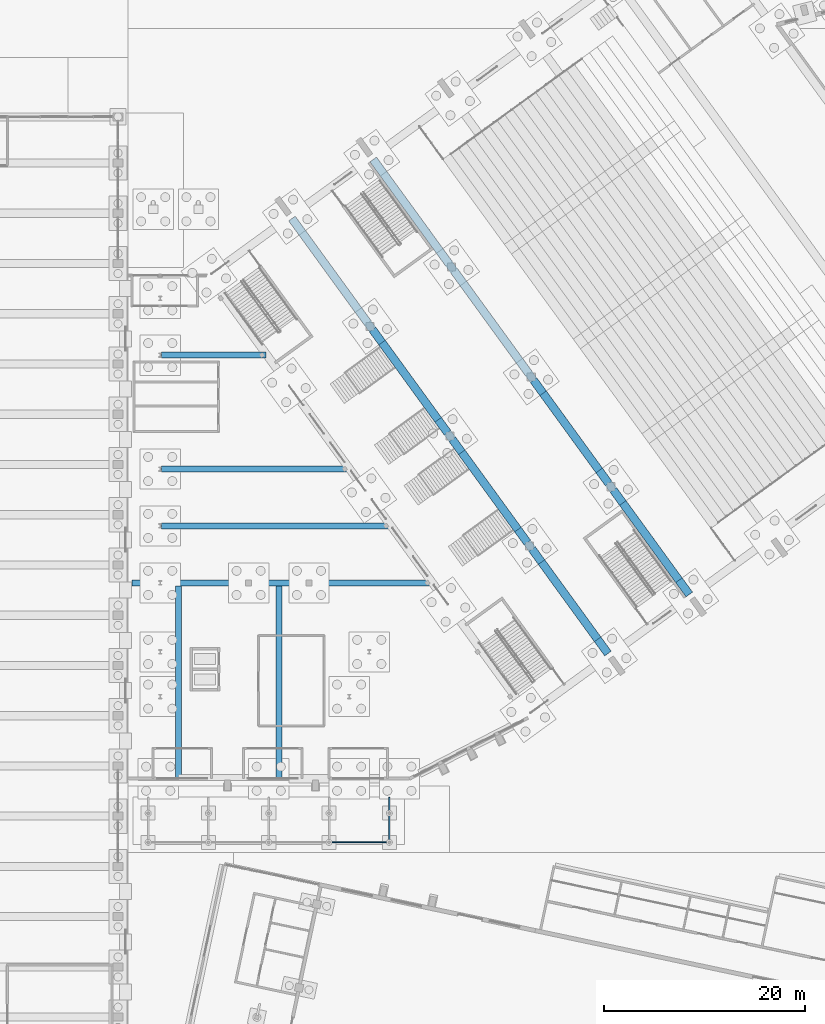
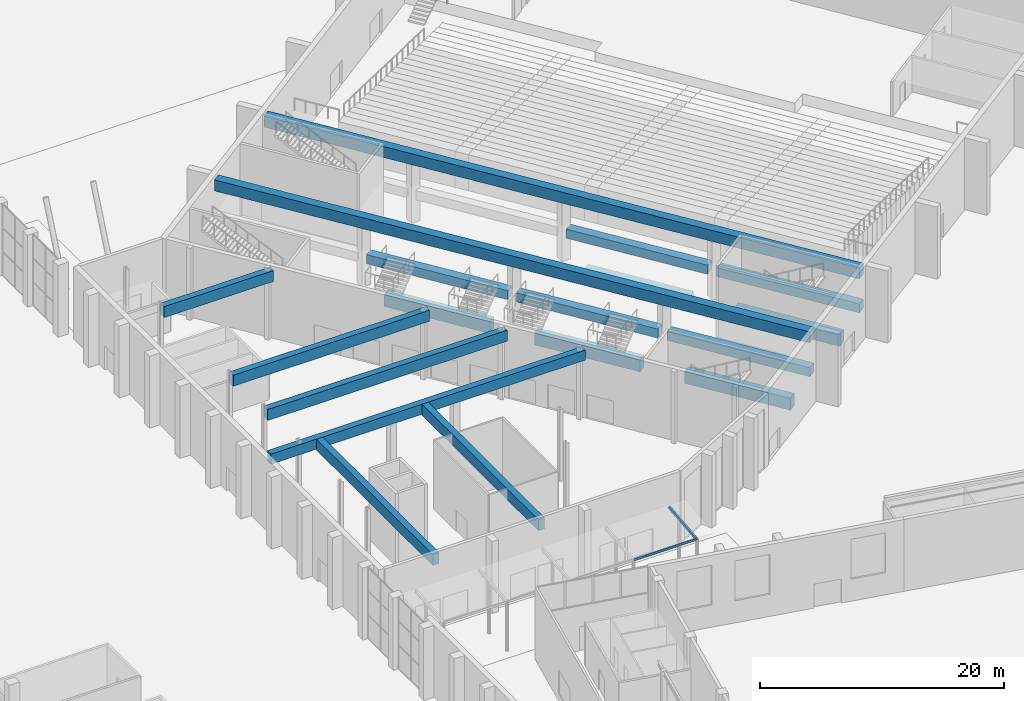
# One storey, part 131 of 239: 20 beams.
"""IFC4 building model written with IfcOpenShell, lengths in metres."""

from ifc_helpers import new_model, si_unit, direction, frame, origin, origin_2d, place, context, subcontext, project, spatial, rectangle, hollow_rectangle, extrude, material, material_profile, profile_set, type_object, element, save


model = new_model("IFC4")

# Units and contexts
model_context = context("Model", 3, precision=1e-05, world=origin(), true_north=direction((0.0, 1.0)))
body_context = subcontext(model_context, "Body", "Model", "MODEL_VIEW")
ifc_project = project(units=[si_unit("LENGTHUNIT", "METRE"), si_unit("AREAUNIT", "SQUARE_METRE"), si_unit("VOLUMEUNIT", "CUBIC_METRE"), si_unit("PLANEANGLEUNIT", "RADIAN"), si_unit("MASSUNIT", "GRAM", prefix="KILO")], contexts=[model_context])

# Site, building, storey
site_placement = place(None, origin())
site = spatial("IfcSite", under=ifc_project, at=site_placement, CompositionType="ELEMENT")
building_placement = place(site_placement, origin())
building = spatial("IfcBuilding", under=site, at=building_placement, Name="Okhra Congress Centre", CompositionType="ELEMENT")
storey_placement = place(building_placement, origin())
storey = spatial("IfcBuildingStorey", under=building, at=storey_placement, Name="L00", CompositionType="ELEMENT", Elevation=0.0)

# Beams
ifc_material_1 = material(Name="Concrete C35/45", Category="concrete")
ifc_material_profile_1 = material_profile(ifc_material_1, rectangle(XDim=0.800048828125, YDim=1.10009765625, at=origin_2d()), Name="RC balcony girder 800x1100")
ifc_profile_set_1 = profile_set([ifc_material_profile_1], Name="Concrete C35/45")
beam_type_1 = type_object("IfcBeamType", Name="RC balcony girder 800x1100", PredefinedType="BEAM", material=ifc_profile_set_1)
for number, where, z_axis, x_axis, name in (
    (1, (237.753662109375, 162.18896484375, 6.300048828125), (-0.587784977279, 0.809017194184, 0.0), (-0.809017194184, -0.587784977279, 0.0), "Balcony girder 20"),
    (2, (245.843994140625, 168.06689453125, 6.300048828125), (-0.587784977279, 0.809017194184, 0.0), (-0.809017194184, -0.587784977279, 0.0), "Balcony girder 10"),
):
    element("IfcBeam", number, at=place(storey_placement, frame(where, z_axis=z_axis, x_axis=x_axis)), inside=storey, type_object=beam_type_1, Name=name, PredefinedType="BEAM", context=body_context, shape_type="SweptSolid", body=[
        extrude(rectangle(XDim=0.800048828125, YDim=1.10009765625, at=origin_2d()), origin(), (0.0, 0.0, 1.0), 53.5),
    ])
ifc_material_profile_2 = material_profile(ifc_material_1, rectangle(XDim=0.60009765625, YDim=1.0, at=origin_2d()), Name="RC edge beam 600x1000")
ifc_profile_set_2 = profile_set([ifc_material_profile_2], Name="Concrete C35/45")
beam_type_2 = type_object("IfcBeamType", Name="RC edge beam 600x1000", PredefinedType="BEAM", material=ifc_profile_set_2)
beam_1_placement = place(storey_placement, frame((190.39990234375, 169.219970703125, 6.35009765625), z_axis=(1.0, 0.0, 0.0), x_axis=(0.0, 1.0, 0.0)))
element("IfcBeam", 3, at=beam_1_placement, inside=storey, type_object=beam_type_2, Name="Gallery edge beam", PredefinedType="BEAM", context=body_context, shape_type="SweptSolid", body=[
    extrude(rectangle(XDim=0.60009765625, YDim=1.0, at=origin_2d()), origin(), (0.0, 0.0, 1.0), 29.78759765625),
])
ifc_material_profile_3 = material_profile(ifc_material_1, rectangle(XDim=0.60009765625, YDim=1.10009765625, at=origin_2d()), Name="RC floor beam 600x1100")
ifc_profile_set_3 = profile_set([ifc_material_profile_3], Name="Concrete C35/45")
beam_type_3 = type_object("IfcBeamType", Name="RC floor beam 600x1100", PredefinedType="BEAM", material=ifc_profile_set_3)
for number, where, z_axis, x_axis, name in (
    (4, (195.0, 149.830078125, 6.300048828125), (0.0, 1.0, 0.0), (-1.0, 0.0, 0.0), "Gallery floor beam 1"),
    (5, (205.0, 149.830078125, 6.300048828125), (0.0, 1.0, 0.0), (-1.0, 0.0, 0.0), "Gallery floor beam 2"),
):
    element("IfcBeam", number, at=place(storey_placement, frame(where, z_axis=z_axis, x_axis=x_axis)), inside=storey, type_object=beam_type_3, Name=name, PredefinedType="BEAM", context=body_context, shape_type="SweptSolid", body=[
        extrude(rectangle(XDim=0.60009765625, YDim=1.10009765625, at=origin_2d()), origin(), (0.0, 0.0, 1.0), 19.08984375),
    ])
beam_2_placement = place(storey_placement, frame((193.35009765625, 174.889892578125, 6.300048828125), z_axis=(1.0, 0.0, 0.0), x_axis=(0.0, 1.0, 0.0)))
element("IfcBeam", 6, at=beam_2_placement, inside=storey, type_object=beam_type_3, Name="Delegates' lounge floor beam 1", PredefinedType="BEAM", context=body_context, shape_type="SweptSolid", body=[
    extrude(rectangle(XDim=0.60009765625, YDim=1.10009765625, at=origin_2d()), origin(), (0.0, 0.0, 1.0), 22.718017578125),
])
beam_3_placement = place(storey_placement, frame((193.35009765625, 180.550048828125, 6.300048828125), z_axis=(1.0, 0.0, 0.0), x_axis=(0.0, 1.0, 0.0)))
element("IfcBeam", 7, at=beam_3_placement, inside=storey, type_object=beam_type_3, Name="Delegates' lounge floor beam 2", PredefinedType="BEAM", context=body_context, shape_type="SweptSolid", body=[
    extrude(rectangle(XDim=0.60009765625, YDim=1.10009765625, at=origin_2d()), origin(), (0.0, 0.0, 1.0), 18.605712890625),
])
beam_4_placement = place(storey_placement, frame((193.35009765625, 191.8798828125, 6.300048828125), z_axis=(1.0, 0.0, 0.0), x_axis=(0.0, 1.0, 0.0)))
element("IfcBeam", 8, at=beam_4_placement, inside=storey, type_object=beam_type_3, Name="Delegates' lounge floor beam 3", PredefinedType="BEAM", context=body_context, shape_type="SweptSolid", body=[
    extrude(rectangle(XDim=0.60009765625, YDim=1.10009765625, at=origin_2d()), origin(), (0.0, 0.0, 1.0), 10.3740234375),
])
ifc_material_profile_4 = material_profile(ifc_material_1, rectangle(XDim=0.800048828125, YDim=1.199951171875, at=origin_2d()), Name="RC ground beam 800x1200")
ifc_profile_set_4 = profile_set([ifc_material_profile_4], Name="Concrete C35/45")
beam_type_4 = type_object("IfcBeamType", Name="RC ground beam 800x1200", PredefinedType="BEAM", material=ifc_profile_set_4)
for number, where, z_axis, x_axis, name in (
    (9, (236.72509765625, 163.604736328125, -0.89990234375), (-0.587780453127, 0.809020481151, 0.0), (-0.809020481151, -0.587780453127, 0.0), "Ground beam 1"),
    (10, (228.7900390625, 174.526611328125, -0.89990234375), (-0.58779267372, 0.80901160234, 0.0), (-0.80901160234, -0.58779267372, 0.0), "Ground beam 2"),
    (11, (220.85498046875, 185.4482421875, -0.89990234375), (-0.58779267372, 0.80901160234, 0.0), (-0.80901160234, -0.58779267372, 0.0), "Ground beam 3"),
    (12, (244.815185546875, 169.482666015625, -0.89990234375), (-0.58779267372, 0.80901160234, 0.0), (-0.80901160234, -0.58779267372, 0.0), "Ground beam 5"),
    (13, (236.880126953125, 180.404296875, -0.89990234375), (-0.587780453127, 0.809020481151, 0.0), (-0.809020481151, -0.587780453127, 0.0), "Ground beam 6"),
):
    element("IfcBeam", number, at=place(storey_placement, frame(where, z_axis=z_axis, x_axis=x_axis)), inside=storey, type_object=beam_type_4, Name=name, PredefinedType="BEAM", context=body_context, shape_type="SweptSolid", body=[
        extrude(rectangle(XDim=0.800048828125, YDim=1.199951171875, at=origin_2d()), origin(), (0.0, 0.0, 1.0), 9.5),
    ])
ifc_material_profile_5 = material_profile(ifc_material_1, rectangle(XDim=0.800048828125, YDim=0.89990234375, at=origin_2d()), Name="RC platform girder 800x900")
ifc_profile_set_5 = profile_set([ifc_material_profile_5], Name="Concrete C35/45")
beam_type_5 = type_object("IfcBeamType", Name="RC platform girder 800x900", PredefinedType="BEAM", material=ifc_profile_set_5)
beam_5_placement = place(storey_placement, frame((237.753662109375, 162.18896484375, 2.800048828125), z_axis=(-0.5877773693, 0.809022721645, 0.0), x_axis=(-0.809022721645, -0.5877773693, 0.0)))
element("IfcBeam", 14, at=beam_5_placement, inside=storey, type_object=beam_type_5, Name="Platform girder 20.1", PredefinedType="BEAM", context=body_context, shape_type="SweptSolid", body=[
    extrude(rectangle(XDim=0.800048828125, YDim=0.89990234375, at=origin_2d()), origin(), (0.0, 0.0, 1.0), 12.85009765625),
])
for number, where, z_axis, x_axis, name in (
    (15, (229.73046875, 173.232177734375, 2.800048828125), (-0.58778757057, 0.809015310043, 0.0), (-0.809015310043, -0.58778757057, 0.0), "Platform girder 20.2"),
    (16, (221.79541015625, 184.15380859375, 2.800048828125), (-0.58778757057, 0.809015310043, 0.0), (-0.809015310043, -0.58778757057, 0.0), "Platform girder 20.3"),
):
    element("IfcBeam", number, at=place(storey_placement, frame(where, z_axis=z_axis, x_axis=x_axis)), inside=storey, type_object=beam_type_5, Name=name, PredefinedType="BEAM", context=body_context, shape_type="SweptSolid", body=[
        extrude(rectangle(XDim=0.800048828125, YDim=0.89990234375, at=origin_2d()), origin(), (0.0, 0.0, 1.0), 12.699951171875),
    ])
beam_6_placement = place(storey_placement, frame((245.843994140625, 168.06689453125, 2.800048828125), z_axis=(-0.587798839064, 0.809007122833, 0.0), x_axis=(-0.809007122833, -0.587798839064, 0.0)))
element("IfcBeam", 17, at=beam_6_placement, inside=storey, type_object=beam_type_5, Name="Platform girder 10.1", PredefinedType="BEAM", context=body_context, shape_type="SweptSolid", body=[
    extrude(rectangle(XDim=0.800048828125, YDim=0.89990234375, at=origin_2d()), origin(), (0.0, 0.0, 1.0), 12.85009765625),
])
beam_7_placement = place(storey_placement, frame((237.820556640625, 179.10986328125, 2.800048828125), z_axis=(-0.587778429187, 0.809021951607, 0.0), x_axis=(-0.809021951607, -0.587778429187, 0.0)))
element("IfcBeam", 18, at=beam_7_placement, inside=storey, type_object=beam_type_5, Name="Platform girder 10.2", PredefinedType="BEAM", context=body_context, shape_type="SweptSolid", body=[
    extrude(rectangle(XDim=0.800048828125, YDim=0.89990234375, at=origin_2d()), origin(), (0.0, 0.0, 1.0), 12.7001953125),
])
ifc_material_2 = material(Name="Steel S355J2", Category="steel")
ifc_material_profile_6 = material_profile(ifc_material_2, hollow_rectangle(XDim=0.14990234375, YDim=0.25, WallThickness=0.008056640625, at=origin_2d()), Name="RHS 250x150x8")
ifc_profile_set_6 = profile_set([ifc_material_profile_6], Name="Steel S355J2")
beam_type_6 = type_object("IfcBeamType", Name="Steel canopy beam RHS 250x150x8", PredefinedType="BEAM", material=ifc_profile_set_6)
beam_8_placement = place(storey_placement, frame((216.0, 143.39990234375, 4.84619140625), z_axis=(0.0, 0.99438806793, 0.105793999632), x_axis=(-1.0, 0.0, 0.0)))
element("IfcBeam", 19, at=beam_8_placement, inside=storey, type_object=beam_type_6, Name="Drop-off canopy beam 5", PredefinedType="BEAM", context=body_context, shape_type="SweptSolid", body=[
    extrude(hollow_rectangle(XDim=0.14990234375, YDim=0.25, WallThickness=0.008056640625, at=origin_2d()), origin(), (0.0, 0.0, 1.0), 4.525390625),
])
ifc_material_profile_7 = material_profile(ifc_material_2, hollow_rectangle(XDim=0.10009765625, YDim=0.199951171875, WallThickness=0.006103515625, at=origin_2d()), Name="RHS 200x100x6")
ifc_profile_set_7 = profile_set([ifc_material_profile_7], Name="Steel S355J2")
beam_type_7 = type_object("IfcBeamType", Name="Steel canopy edge beam RHS 200x100x6", PredefinedType="BEAM", material=ifc_profile_set_7)
beam_9_placement = place(storey_placement, frame((210.074951171875, 143.39990234375, 4.871337890625), z_axis=(1.0, 0.0, 0.0), x_axis=(0.0, 1.0, 0.0)))
element("IfcBeam", 20, at=beam_9_placement, inside=storey, type_object=beam_type_7, Name="Drop-off canopy edge beam 4", PredefinedType="BEAM", context=body_context, shape_type="SweptSolid", body=[
    extrude(hollow_rectangle(XDim=0.10009765625, YDim=0.199951171875, WallThickness=0.006103515625, at=origin_2d()), origin(), (0.0, 0.0, 1.0), 5.85009765625),
])

save(model, "model.ifc")
